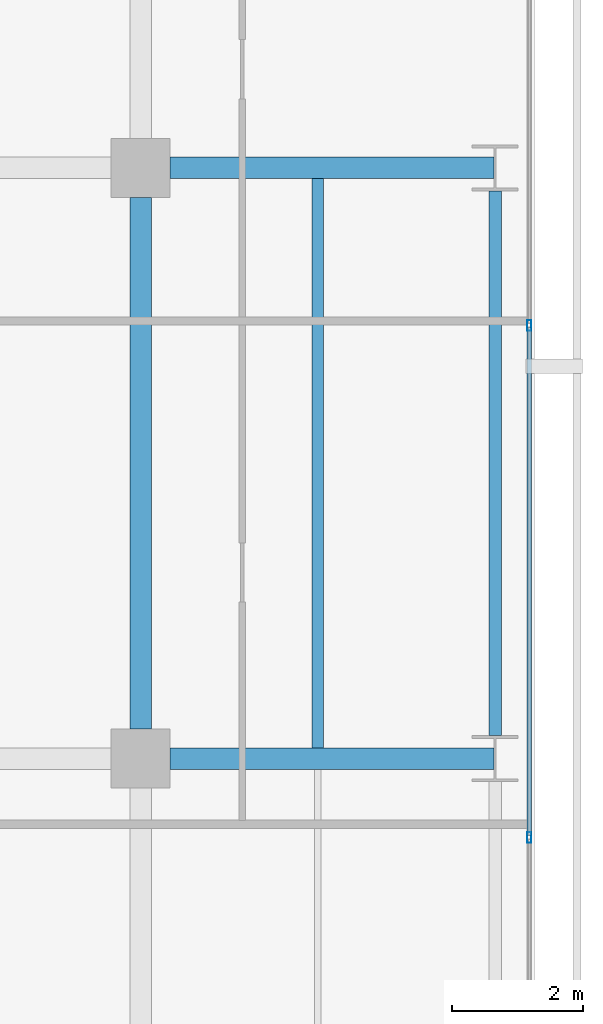
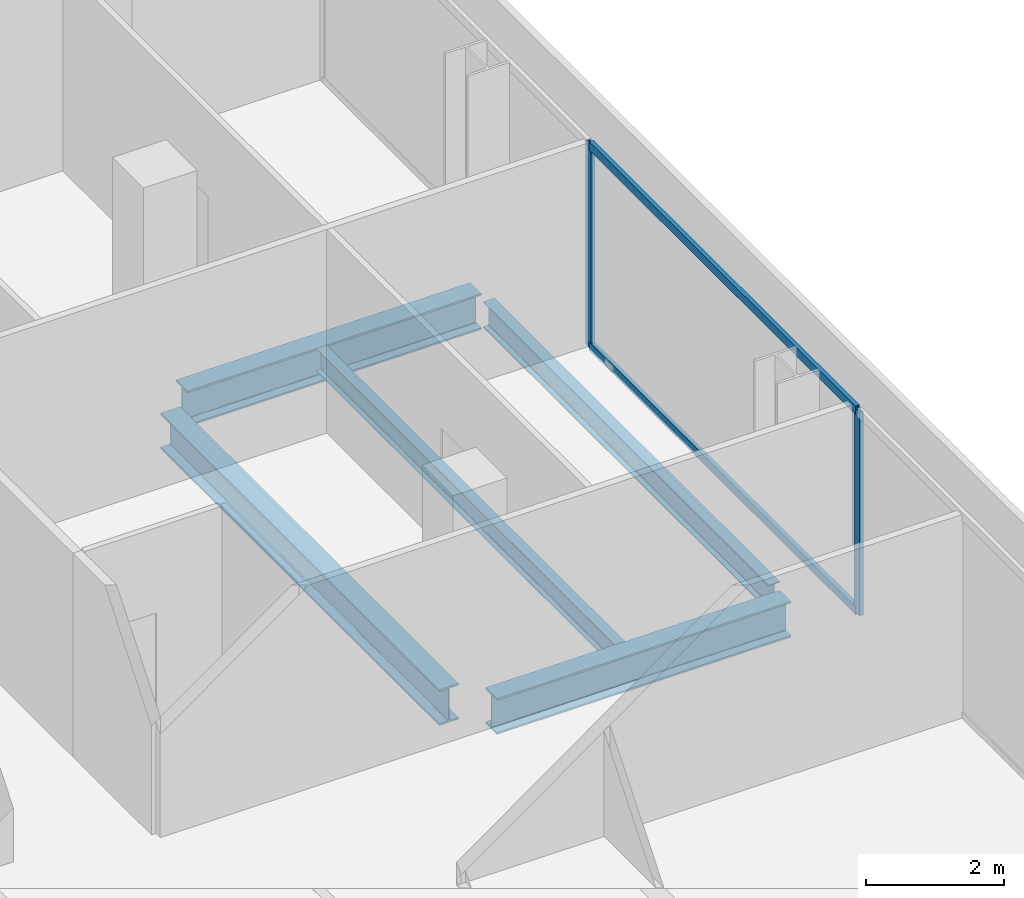
# One storey, part 28 of 40: 5 beams, 4 members, 1 element without a shape of its own.
"""IFC4 building model written with IfcOpenShell, lengths in metres."""

from ifc_helpers import new_model, si_unit, direction, frame, origin, origin_2d, place, context, subcontext, project, spatial, hollow_rectangle, i_section, extrude, material, layer, layer_set, material_profile, profile_set, type_object, element, aggregate, save


model = new_model("IFC4")

# Units and contexts
model_context = context("Model", 3, precision=1e-05, world=origin(), true_north=direction((0.0, 1.0)))
body_context = subcontext(model_context, "Body", "Model", "MODEL_VIEW")
ifc_project = project(units=[si_unit("LENGTHUNIT", "METRE"), si_unit("AREAUNIT", "SQUARE_METRE"), si_unit("VOLUMEUNIT", "CUBIC_METRE"), si_unit("PLANEANGLEUNIT", "RADIAN"), si_unit("MASSUNIT", "GRAM", prefix="KILO")], contexts=[model_context])

# Site, building, storey
site_placement = place(None, origin())
site = spatial("IfcSite", under=ifc_project, at=site_placement, CompositionType="ELEMENT")
building_placement = place(site_placement, origin())
building = spatial("IfcBuilding", under=site, at=building_placement, Name="Maruvema Waterfront Hotel and Observation Tower", CompositionType="ELEMENT")
storey_placement = place(building_placement, frame((0.0, 0.0, 30.800048828125)))
storey = spatial("IfcBuildingStorey", under=building, at=storey_placement, Name="L06", CompositionType="ELEMENT", Elevation=30.800048828125)

# Curtain wall, members
ifc_material_1 = material(Name="Anodised bronze aluminium and solar-control low-E IGU", Category="aluminium")
ifc_layer = layer(ifc_material_1, 0.159912109375, Name="Zone 1 Bronze Inner Thermal Curtain Wall System CW-02")
ifc_layer_set = layer_set([ifc_layer], Name="Anodised bronze aluminium and solar-control low-E IGU")
curtain_wall_type = type_object("IfcCurtainWallType", Name="Zone 1 Bronze Inner Thermal Curtain Wall System CW-02", PredefinedType="USERDEFINED", material=ifc_layer_set)
curtain_wall_placement = place(storey_placement, origin())
curtain_wall = element("IfcCurtainWall", 1, at=curtain_wall_placement, inside=storey, type_object=curtain_wall_type, Name="L06 Curtain Wall CW-L06-E", ObjectType="UNITISED CURTAIN WALL", PredefinedType="USERDEFINED")
ifc_material_2 = material(Name="Anodised architectural bronze aluminium", Category="aluminium")
ifc_material_profile_1 = material_profile(ifc_material_2, hollow_rectangle(XDim=0.070068359375, YDim=0.14990234375, WallThickness=0.00390625, at=origin_2d()), Name="ALU-T70x150")
ifc_profile_set_1 = profile_set([ifc_material_profile_1], Name="Anodised architectural bronze aluminium")
member_type_1 = type_object("IfcMemberType", Name="Curtain Wall Horizontal Transom ALU-T70x150", PredefinedType="USERDEFINED", material=ifc_profile_set_1)
member_1_placement = place(storey_placement, frame((64.719970703125, 34.830078125, 0.030029296875), z_axis=(0.0, 1.0, 0.0), x_axis=(-1.0, 0.0, 0.0)))
member_1 = element("IfcMember", 2, at=member_1_placement, type_object=member_type_1, Name="CW-02 transom 5.1", ObjectType="TRANSOM", PredefinedType="USERDEFINED", context=body_context, shape_type="SweptSolid", body=[
    extrude(hollow_rectangle(XDim=0.070068359375, YDim=0.14990234375, WallThickness=0.00390625, at=origin_2d()), origin(), (0.0, 0.0, 1.0), 7.739990234375),
])
member_2_placement = place(storey_placement, frame((64.719970703125, 34.830078125, 3.579833984375), z_axis=(0.0, 1.0, 0.0), x_axis=(-1.0, 0.0, 0.0)))
member_2 = element("IfcMember", 3, at=member_2_placement, type_object=member_type_1, Name="CW-02 transom 5.2", ObjectType="TRANSOM", PredefinedType="USERDEFINED", context=body_context, shape_type="SweptSolid", body=[
    extrude(hollow_rectangle(XDim=0.070068359375, YDim=0.14990234375, WallThickness=0.00390625, at=origin_2d()), origin(), (0.0, 0.0, 1.0), 7.739990234375),
])
ifc_material_3 = material(Name="Anodised architectural bronze aluminium", Category="aluminium")
ifc_material_profile_2 = material_profile(ifc_material_3, hollow_rectangle(XDim=0.06494140625, YDim=0.1650390625, WallThickness=0.00390625, at=origin_2d()), Name="ALU-M65x165")
ifc_profile_set_2 = profile_set([ifc_material_profile_2], Name="Anodised architectural bronze aluminium")
member_type_2 = type_object("IfcMemberType", Name="Curtain Wall Primary Mullion ALU-M65x165", PredefinedType="MULLION", material=ifc_profile_set_2)
member_3_placement = place(storey_placement, frame((64.719970703125, 34.800048828125, 0.0), z_axis=(0.0, 0.0, 1.0), x_axis=(-1.0, 0.0, 0.0)))
member_3 = element("IfcMember", 4, at=member_3_placement, type_object=member_type_2, Name="CW-02 mullion 5", PredefinedType="MULLION", context=body_context, shape_type="SweptSolid", body=[
    extrude(hollow_rectangle(XDim=0.06494140625, YDim=0.1650390625, WallThickness=0.00390625, at=origin_2d()), origin(), (0.0, 0.0, 1.0), 3.60986328125),
])
member_4_placement = place(storey_placement, frame((64.719970703125, 42.60009765625, 0.0), z_axis=(0.0, 0.0, 1.0), x_axis=(-1.0, 0.0, 0.0)))
member_4 = element("IfcMember", 5, at=member_4_placement, type_object=member_type_2, Name="CW-02 mullion 6", PredefinedType="MULLION", context=body_context, shape_type="SweptSolid", body=[
    extrude(hollow_rectangle(XDim=0.06494140625, YDim=0.1650390625, WallThickness=0.00390625, at=origin_2d()), origin(), (0.0, 0.0, 1.0), 3.60986328125),
])
aggregate(curtain_wall, [member_3, member_4, member_1, member_2])

# Beams
ifc_material_4 = material(Name="Steel ASTM A572 Grade 50", Category="steel")
ifc_material_profile_3 = material_profile(ifc_material_4, i_section(OverallWidth=0.18994140625, OverallDepth=0.45703125, WebThickness=0.009033203125, FlangeThickness=0.014404296875, FilletRadius=0.014892578125, at=origin_2d()), Name="W460x74.0")
ifc_profile_set_3 = profile_set([ifc_material_profile_3], Name="Steel ASTM A572 Grade 50")
beam_type_1 = type_object("IfcBeamType", Name="Perimeter Spandrel Beam W460x74.0", PredefinedType="SPANDREL", material=ifc_profile_set_3)
beam_1_placement = place(storey_placement, frame((64.199951171875, 36.35009765625, -0.468505859375), z_axis=(0.0, 1.0, 0.0), x_axis=(-1.0, 0.0, 0.0)))
element("IfcBeam", 6, at=beam_1_placement, inside=storey, type_object=beam_type_1, Name="L06 Floor Girder NS-36", PredefinedType="SPANDREL", context=body_context, shape_type="SweptSolid", body=[
    extrude(i_section(OverallWidth=0.18994140625, OverallDepth=0.45703125, WebThickness=0.009033203125, FlangeThickness=0.014404296875, FilletRadius=0.014892578125, at=origin_2d()), origin(), (0.0, 0.0, 1.0), 8.2998046875),
])
ifc_material_5 = material(Name="Steel ASTM A572 Grade 50", Category="steel")
ifc_material_profile_4 = material_profile(ifc_material_5, i_section(OverallWidth=0.3291015625, OverallDepth=0.635009765625, WebThickness=0.017822265625, FlangeThickness=0.031005859375, FilletRadius=0.01806640625, at=origin_2d()), Name="W610x241.0")
ifc_profile_set_4 = profile_set([ifc_material_profile_4], Name="Steel ASTM A572 Grade 50")
beam_type_2 = type_object("IfcBeamType", Name="Primary Floor Girder W610x241.0", PredefinedType="BEAM", material=ifc_profile_set_4)
for number, where, z_axis, x_axis, name in (
    (7, (59.25, 36.0, -0.5576171875), (1.0, 0.0, 0.0), (0.0, 1.0, 0.0), "L06 Floor Girder EW-31"),
    (8, (59.25, 45.0, -0.5576171875), (1.0, 0.0, 0.0), (0.0, 1.0, 0.0), "L06 Floor Girder EW-35"),
):
    element("IfcBeam", number, at=place(storey_placement, frame(where, z_axis=z_axis, x_axis=x_axis)), inside=storey, type_object=beam_type_2, Name=name, PredefinedType="BEAM", context=body_context, shape_type="SweptSolid", body=[
        extrude(i_section(OverallWidth=0.3291015625, OverallDepth=0.635009765625, WebThickness=0.017822265625, FlangeThickness=0.031005859375, FilletRadius=0.01806640625, at=origin_2d()), origin(), (0.0, 0.0, 1.0), 4.93603515625),
    ])
beam_2_placement = place(storey_placement, frame((58.800048828125, 36.449951171875, -0.5576171875), z_axis=(0.0, 1.0, 0.0), x_axis=(-1.0, 0.0, 0.0)))
element("IfcBeam", 9, at=beam_2_placement, inside=storey, type_object=beam_type_2, Name="L06 Floor Girder NS-31", PredefinedType="BEAM", context=body_context, shape_type="SweptSolid", body=[
    extrude(i_section(OverallWidth=0.3291015625, OverallDepth=0.635009765625, WebThickness=0.017822265625, FlangeThickness=0.031005859375, FilletRadius=0.01806640625, at=origin_2d()), origin(), (0.0, 0.0, 1.0), 8.10009765625),
])
ifc_material_6 = material(Name="Steel ASTM A572 Grade 50", Category="steel")
ifc_material_profile_5 = material_profile(ifc_material_6, i_section(OverallWidth=0.177001953125, OverallDepth=0.403076171875, WebThickness=0.007568359375, FlangeThickness=0.010986328125, FilletRadius=0.014892578125, at=origin_2d()), Name="W410x53.0")
ifc_profile_set_5 = profile_set([ifc_material_profile_5], Name="Steel ASTM A572 Grade 50")
beam_type_3 = type_object("IfcBeamType", Name="Secondary Floor Joist W410x53.0", PredefinedType="JOIST", material=ifc_profile_set_5)
beam_3_placement = place(storey_placement, frame((61.5, 36.16455078125, -0.441650390625), z_axis=(0.0, 1.0, 0.0), x_axis=(-1.0, 0.0, 0.0)))
element("IfcBeam", 10, at=beam_3_placement, inside=storey, type_object=beam_type_3, Name="L06 Secondary Floor Joist JS-24", PredefinedType="JOIST", context=body_context, shape_type="SweptSolid", body=[
    extrude(i_section(OverallWidth=0.177001953125, OverallDepth=0.403076171875, WebThickness=0.007568359375, FlangeThickness=0.010986328125, FilletRadius=0.014892578125, at=origin_2d()), origin(), (0.0, 0.0, 1.0), 8.6708984375),
])

save(model, "model.ifc")
